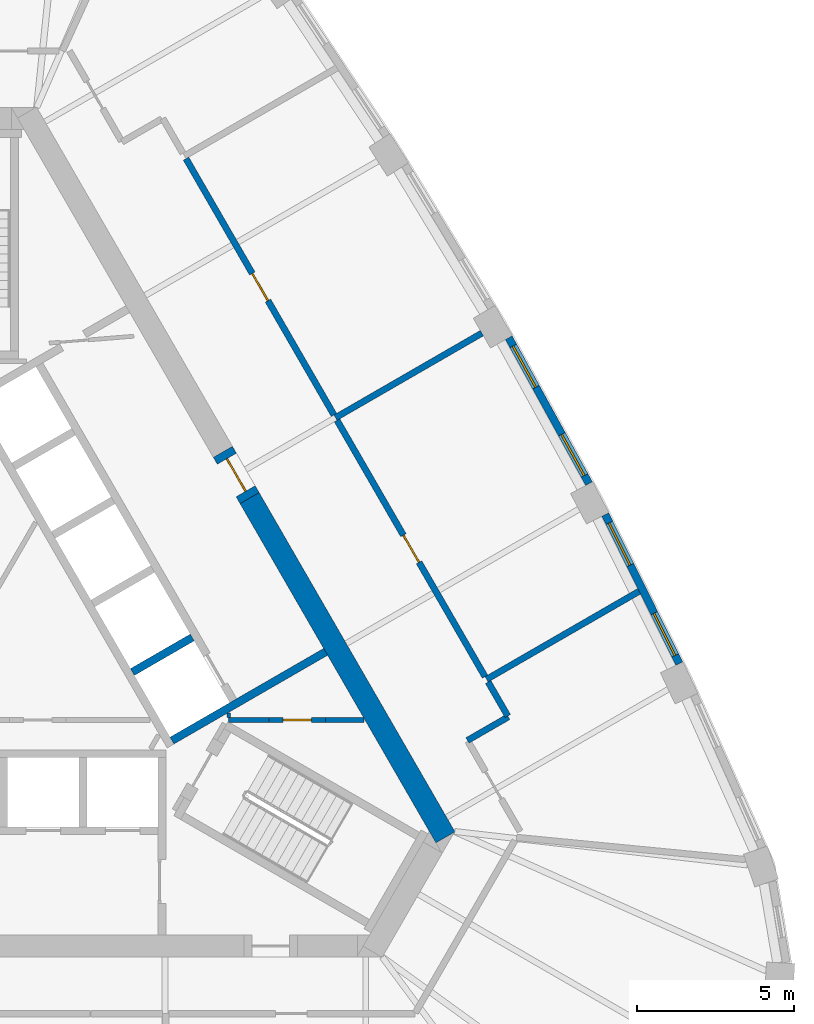
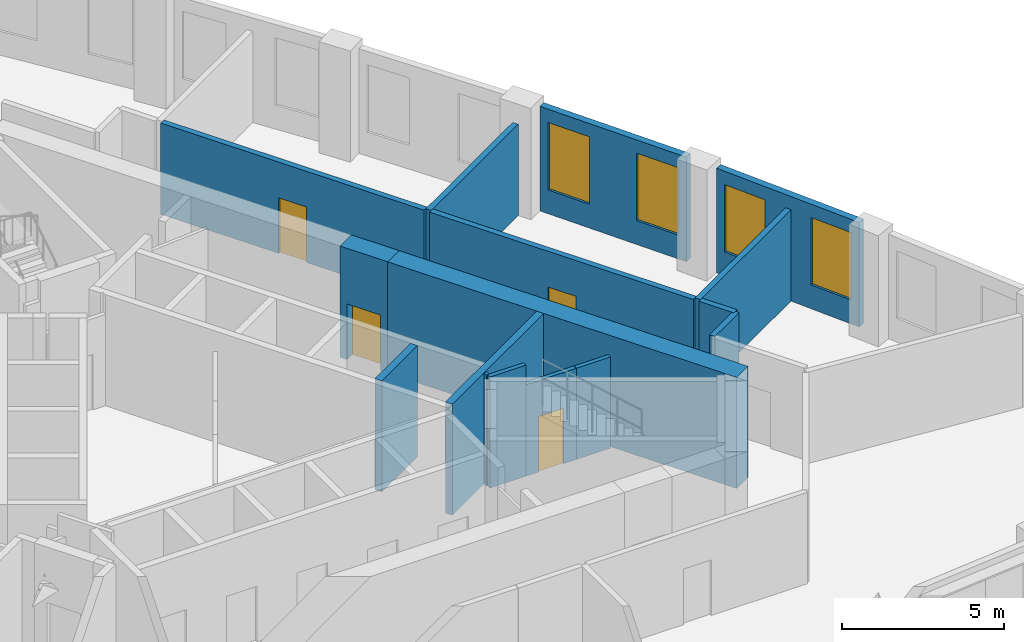
# One storey, part 7 of 10: 16 walls, 4 doors, 4 windows, 8 openings.
"""IFC4 building model written with IfcOpenShell, lengths in metres."""

from ifc_helpers import new_model, si_unit, direction, frame, frame_2d, origin, place, context, subcontext, project, spatial, rectangle, extrude, material, layer, layer_set, type_object, element, fill, save


model = new_model("IFC4")

# Units and contexts
model_context = context("Model", 3, precision=1e-05, world=origin(), true_north=direction((0.0, 1.0)))
body_context = subcontext(model_context, "Body", "Model", "MODEL_VIEW")
ifc_project = project(units=[si_unit("LENGTHUNIT", "METRE"), si_unit("AREAUNIT", "SQUARE_METRE"), si_unit("VOLUMEUNIT", "CUBIC_METRE"), si_unit("PLANEANGLEUNIT", "RADIAN"), si_unit("MASSUNIT", "GRAM", prefix="KILO")], contexts=[model_context])

# Site, building, storey
site_placement = place(None, origin())
site = spatial("IfcSite", under=ifc_project, at=site_placement, CompositionType="ELEMENT")
building_placement = place(site_placement, origin())
building = spatial("IfcBuilding", under=site, at=building_placement, Name="Mestral Congress Tower", CompositionType="ELEMENT")
storey_placement = place(building_placement, frame((0.0, 0.0, 214.199951171875)))
storey = spatial("IfcBuildingStorey", under=building, at=storey_placement, Name="L50", CompositionType="ELEMENT", Elevation=214.199951171875)

# Wall
ifc_material_1 = material(Name="Fire-rated board partition")
ifc_layer_1 = layer(ifc_material_1, 0.14990234375)
ifc_layer_set_1 = layer_set([ifc_layer_1], Name="Fire-rated board partition")
wall_type_1 = type_object("IfcWallType", Name="Core partition 150", PredefinedType="PARTITIONING", material=ifc_layer_set_1)
wall_1_placement = place(storey_placement, frame((11.50048828125, -2.800537109375, 0.0), z_axis=(0.0, 0.0, 1.0), x_axis=(1.0, 0.0, 0.0)))
element("IfcWall", 1, at=wall_1_placement, inside=storey, type_object=wall_type_1, Name="L50 core wall", PredefinedType="PARTITIONING", context=body_context, shape_type="SweptSolid", body=[
    extrude(rectangle(XDim=1.22216796875, YDim=0.14990234375, at=frame_2d((0.611083984375, 0.0))), origin(), (0.0, 0.0, 1.0), 3.449951171875),
])

# Wall, opening, door
wall_2_placement = place(storey_placement, frame((9.7001953125, -2.800048828125, 0.0), z_axis=(0.0, 0.0, 1.0), x_axis=(1.0, 0.0, 0.0)))
wall_2 = element("IfcWall", 2, at=wall_2_placement, inside=storey, type_object=wall_type_1, Name="L50 door wall", PredefinedType="PARTITIONING", context=body_context, shape_type="SweptSolid", body=[
    extrude(rectangle(XDim=1.800048828125, YDim=0.14990234375, at=frame_2d((0.89990234375, 0.0))), origin(), (0.0, 0.0, 1.0), 3.449951171875),
])
opening_1_placement = place(wall_2_placement, frame((0.449951171875, 0.0, 0.0)))
opening_1 = element("IfcOpeningElement", 3, at=opening_1_placement, cuts=wall_2, Name="Opening SD-PX10", PredefinedType="OPENING", context=body_context, shape_type="SweptSolid", body=[
    extrude(rectangle(XDim=0.89990234375, YDim=2.10009765625, at=frame_2d((0.449951171875, 1.050048828125))), frame((0.0, 0.0849609375, 0.0), z_axis=(0.0, -1.0, 0.0), x_axis=(1.0, 0.0, 0.0)), (0.0, 0.0, 1.0), 0.169921875),
])
ifc_material_2 = material(Name="Fire-rated steel door set", Category="steel")
door_type_1 = type_object("IfcDoorType", Name="Core door SR 900x2100", OperationType="SINGLE_SWING_LEFT", PredefinedType="DOOR", material=ifc_material_2)
door_1_placement = place(opening_1_placement, origin())
door_1 = element("IfcDoor", 4, at=door_1_placement, inside=storey, type_object=door_type_1, Name="Door SD-PX10", OperationType="SINGLE_SWING_LEFT", OverallHeight=2.10009765625, OverallWidth=0.89990234375, PredefinedType="DOOR", context=body_context, shape_type="SweptSolid", body=[
    extrude(rectangle(XDim=0.89990234375, YDim=2.10009765625, at=frame_2d((0.449951171875, 1.050048828125))), frame((0.0, 0.02490234375, 0.0), z_axis=(0.0, -1.0, 0.0), x_axis=(1.0, 0.0, 0.0)), (0.0, 0.0, 1.0), 0.050048828125),
])
fill(opening_1, door_1)

# Wall
ifc_material_3 = material(Name="Concrete C60/75", Category="concrete")
ifc_layer_2 = layer(ifc_material_3, 0.699951171875)
ifc_layer_set_2 = layer_set([ifc_layer_2], Name="Concrete C60/75")
wall_type_2 = type_object("IfcWallType", Name="Core wall RC 700", PredefinedType="SOLIDWALL", material=ifc_layer_set_2)
wall_3_placement = place(storey_placement, frame((9.085205078125, 4.263916015625, 0.0), z_axis=(0.0, 0.0, 1.0), x_axis=(0.499998082512, -0.866026510844, 0.0)))
element("IfcWall", 5, at=wall_3_placement, inside=storey, type_object=wall_type_2, Name="L50 core wall", PredefinedType="SOLIDWALL", context=body_context, shape_type="SweptSolid", body=[
    extrude(rectangle(XDim=12.47216796875, YDim=0.699951171875, at=frame_2d((6.236083984375, 0.0))), origin(), (0.0, 0.0, 1.0), 4.199951171875),
])

# Wall, opening, door
wall_4_placement = place(storey_placement, frame((8.2353515625, 5.736083984375, 0.0), z_axis=(0.0, 0.0, 1.0), x_axis=(0.499954529098, -0.86605165483, 0.0)))
wall_4 = element("IfcWall", 6, at=wall_4_placement, inside=storey, type_object=wall_type_2, Name="L50 door wall", PredefinedType="SOLIDWALL", context=body_context, shape_type="SweptSolid", body=[
    extrude(rectangle(XDim=1.699951171875, YDim=0.699951171875, at=frame_2d((0.85009765625, 0.0))), origin(), (0.0, 0.0, 1.0), 4.199951171875),
])
opening_2_placement = place(wall_4_placement, frame((0.25, 0.0, 0.0)))
opening_2 = element("IfcOpeningElement", 7, at=opening_2_placement, cuts=wall_4, Name="Opening XDL", PredefinedType="OPENING", context=body_context, shape_type="SweptSolid", body=[
    extrude(rectangle(XDim=1.199951171875, YDim=2.10009765625, at=frame_2d((0.60009765625, 1.050048828125))), frame((0.0, 0.35986328125, 0.0), z_axis=(0.0, -1.0, 0.0), x_axis=(1.0, 0.0, 0.0)), (0.0, 0.0, 1.0), 0.719970703125),
])
door_type_2 = type_object("IfcDoorType", Name="Core door XD 1200x2100", OperationType="SINGLE_SWING_LEFT", PredefinedType="DOOR", material=ifc_material_2)
door_2_placement = place(opening_2_placement, origin())
door_2 = element("IfcDoor", 8, at=door_2_placement, inside=storey, type_object=door_type_2, Name="Door XDL", OperationType="SINGLE_SWING_LEFT", OverallHeight=2.10009765625, OverallWidth=1.199951171875, PredefinedType="DOOR", context=body_context, shape_type="SweptSolid", body=[
    extrude(rectangle(XDim=1.199951171875, YDim=2.10009765625, at=frame_2d((0.60009765625, 1.050048828125))), frame((0.0, 0.02490234375, 0.0), z_axis=(0.0, -1.0, 0.0), x_axis=(1.0, 0.0, 0.0)), (0.0, 0.0, 1.0), 0.050048828125),
])
fill(opening_2, door_2)

# Wall, openings, windows
ifc_material_4 = material(Name="Precast concrete C40/50 with limestone facing", Category="masonry")
ifc_layer_3 = layer(ifc_material_4, 0.239990234375)
ifc_layer_set_3 = layer_set([ifc_layer_3], Name="Precast concrete C40/50 with limestone facing")
wall_type_3 = type_object("IfcWallType", Name="Facade stone wall 240", PredefinedType="SOLIDWALL", material=ifc_layer_set_3)
wall_5_placement = place(storey_placement, frame((22.765869140625, -1.0048828125, 0.0), z_axis=(0.0, 0.0, 1.0), x_axis=(-0.445129582031, 0.895466166419, 0.0)))
wall_5 = element("IfcWall", 9, at=wall_5_placement, inside=storey, type_object=wall_type_3, Name="Facade wall F1-01", PredefinedType="SOLIDWALL", context=body_context, shape_type="SweptSolid", body=[
    extrude(rectangle(XDim=5.29833984375, YDim=0.239990234375, at=frame_2d((2.649169921875, 0.0))), origin(), (0.0, 0.0, 1.0), 3.949951171875),
])
opening_3_placement = place(wall_5_placement, frame((0.294677734375, 0.0, 0.89990234375)))
opening_3 = element("IfcOpeningElement", 10, at=opening_3_placement, cuts=wall_5, Name="Opening W4", PredefinedType="OPENING", context=body_context, shape_type="SweptSolid", body=[
    extrude(rectangle(XDim=1.5, YDim=2.550048828125, at=frame_2d((0.75, 1.27490234375))), frame((0.0, 0.1298828125, 0.0), z_axis=(0.0, -1.0, 0.0), x_axis=(1.0, 0.0, 0.0)), (0.0, 0.0, 1.0), 0.260009765625),
])
opening_4_placement = place(wall_5_placement, frame((3.503662109375, 0.0, 0.89990234375)))
opening_4 = element("IfcOpeningElement", 11, at=opening_4_placement, cuts=wall_5, Name="Opening W4", PredefinedType="OPENING", context=body_context, shape_type="SweptSolid", body=[
    extrude(rectangle(XDim=1.5, YDim=2.550048828125, at=frame_2d((0.75, 1.27490234375))), frame((0.0, 0.1298828125, 0.0), z_axis=(0.0, -1.0, 0.0), x_axis=(1.0, 0.0, 0.0)), (0.0, 0.0, 1.0), 0.260009765625),
])
ifc_material_5 = material(Name="Clear low-emissivity double glazing", Category="glass")
window_type = type_object("IfcWindowType", Name="Facade punched window 1500 x 2550 sill 900", PartitioningType="SINGLE_PANEL", PredefinedType="WINDOW", material=ifc_material_5)
window_1_placement = place(opening_3_placement, origin())
window_1 = element("IfcWindow", 12, at=window_1_placement, inside=storey, type_object=window_type, Name="Window F1-01a", OverallHeight=2.550048828125, OverallWidth=1.5, PartitioningType="SINGLE_PANEL", PredefinedType="WINDOW", context=body_context, shape_type="SweptSolid", body=[
    extrude(rectangle(XDim=1.5, YDim=2.550048828125, at=frame_2d((0.75, 1.27490234375))), frame((0.0, 0.0400390625, 0.0), z_axis=(0.0, -1.0, 0.0), x_axis=(1.0, 0.0, 0.0)), (0.0, 0.0, 1.0), 0.06005859375),
])
fill(opening_3, window_1)
window_2_placement = place(opening_4_placement, origin())
window_2 = element("IfcWindow", 13, at=window_2_placement, inside=storey, type_object=window_type, Name="Window F1-01b", OverallHeight=2.550048828125, OverallWidth=1.5, PartitioningType="SINGLE_PANEL", PredefinedType="WINDOW", context=body_context, shape_type="SweptSolid", body=[
    extrude(rectangle(XDim=1.5, YDim=2.550048828125, at=frame_2d((0.75, 1.27490234375))), frame((0.0, 0.0400390625, 0.0), z_axis=(0.0, -1.0, 0.0), x_axis=(1.0, 0.0, 0.0)), (0.0, 0.0, 1.0), 0.06005859375),
])
fill(opening_4, window_2)

wall_6_placement = place(storey_placement, frame((19.8916015625, 4.725341796875, 0.0), z_axis=(0.0, 0.0, 1.0), x_axis=(-0.481925825015, 0.876212017256, 0.0)))
wall_6 = element("IfcWall", 14, at=wall_6_placement, inside=storey, type_object=wall_type_3, Name="Facade wall F1-02", PredefinedType="SOLIDWALL", context=body_context, shape_type="SweptSolid", body=[
    extrude(rectangle(XDim=5.298583984375, YDim=0.239990234375, at=frame_2d((2.6494140625, 0.0))), origin(), (0.0, 0.0, 1.0), 3.949951171875),
])
opening_5_placement = place(wall_6_placement, frame((0.294677734375, 0.0, 0.89990234375)))
opening_5 = element("IfcOpeningElement", 15, at=opening_5_placement, cuts=wall_6, Name="Opening W4", PredefinedType="OPENING", context=body_context, shape_type="SweptSolid", body=[
    extrude(rectangle(XDim=1.5, YDim=2.550048828125, at=frame_2d((0.75, 1.27490234375))), frame((0.0, 0.1298828125, 0.0), z_axis=(0.0, -1.0, 0.0), x_axis=(1.0, 0.0, 0.0)), (0.0, 0.0, 1.0), 0.260009765625),
])
opening_6_placement = place(wall_6_placement, frame((3.503662109375, 0.0, 0.89990234375)))
opening_6 = element("IfcOpeningElement", 16, at=opening_6_placement, cuts=wall_6, Name="Opening W4", PredefinedType="OPENING", context=body_context, shape_type="SweptSolid", body=[
    extrude(rectangle(XDim=1.5, YDim=2.550048828125, at=frame_2d((0.75, 1.27490234375))), frame((0.0, 0.1298828125, 0.0), z_axis=(0.0, -1.0, 0.0), x_axis=(1.0, 0.0, 0.0)), (0.0, 0.0, 1.0), 0.260009765625),
])
window_3_placement = place(opening_5_placement, origin())
window_3 = element("IfcWindow", 17, at=window_3_placement, inside=storey, type_object=window_type, Name="Window F1-02a", OverallHeight=2.550048828125, OverallWidth=1.5, PartitioningType="SINGLE_PANEL", PredefinedType="WINDOW", context=body_context, shape_type="SweptSolid", body=[
    extrude(rectangle(XDim=1.5, YDim=2.550048828125, at=frame_2d((0.75, 1.27490234375))), frame((0.0, 0.0400390625, 0.0), z_axis=(0.0, -1.0, 0.0), x_axis=(1.0, 0.0, 0.0)), (0.0, 0.0, 1.0), 0.06005859375),
])
fill(opening_5, window_3)
window_4_placement = place(opening_6_placement, origin())
window_4 = element("IfcWindow", 18, at=window_4_placement, inside=storey, type_object=window_type, Name="Window F1-02b", OverallHeight=2.550048828125, OverallWidth=1.5, PartitioningType="SINGLE_PANEL", PredefinedType="WINDOW", context=body_context, shape_type="SweptSolid", body=[
    extrude(rectangle(XDim=1.5, YDim=2.550048828125, at=frame_2d((0.75, 1.27490234375))), frame((0.0, 0.0400390625, 0.0), z_axis=(0.0, -1.0, 0.0), x_axis=(1.0, 0.0, 0.0)), (0.0, 0.0, 1.0), 0.06005859375),
])
fill(opening_6, window_4)

# Walls
ifc_material_6 = material(Name="Dense masonry wall, plastered", Category="masonry")
ifc_layer_4 = layer(ifc_material_6, 0.199951171875)
ifc_layer_set_4 = layer_set([ifc_layer_4], Name="Dense masonry wall, plastered")
wall_type_4 = type_object("IfcWallType", Name="Office tenancy wall 200", PredefinedType="PARTITIONING", material=ifc_layer_set_4)
wall_7_placement = place(storey_placement, frame((16.631103515625, -1.505859375, 0.0), z_axis=(0.0, 0.0, 1.0), x_axis=(0.866045655253, 0.499964921787, 0.0)))
element("IfcWall", 19, at=wall_7_placement, inside=storey, type_object=wall_type_4, Name="Tenancy wall", PredefinedType="PARTITIONING", context=body_context, shape_type="SweptSolid", body=[
    extrude(rectangle(XDim=5.607421875, YDim=0.199951171875, at=frame_2d((2.8037109375, 0.0))), origin(), (0.0, 0.0, 1.0), 3.449951171875),
])
wall_8_placement = place(storey_placement, frame((16.022216796875, -3.451416015625, 0.0), z_axis=(0.0, 0.0, 1.0), x_axis=(0.866031096941, 0.499990139034, 0.0)))
element("IfcWall", 20, at=wall_8_placement, inside=storey, type_object=wall_type_4, Name="Tenancy wall", PredefinedType="PARTITIONING", context=body_context, shape_type="SweptSolid", body=[
    extrude(rectangle(XDim=1.5, YDim=0.199951171875, at=frame_2d((0.75, 0.0))), origin(), (0.0, 0.0, 1.0), 3.449951171875),
])
wall_9_placement = place(storey_placement, frame((17.30615234375, -2.67529296875, 0.0), z_axis=(0.0, 0.0, 1.0), x_axis=(-0.499919672301, 0.866071776036, 0.0)))
element("IfcWall", 21, at=wall_9_placement, inside=storey, type_object=wall_type_4, Name="Tenancy wall", PredefinedType="PARTITIONING", context=body_context, shape_type="SweptSolid", body=[
    extrude(rectangle(XDim=1.250244140625, YDim=0.199951171875, at=frame_2d((0.625, 0.0))), origin(), (0.0, 0.0, 1.0), 3.449951171875),
])
wall_10_placement = place(storey_placement, frame((11.8212890625, 6.824951171875, 0.0), z_axis=(0.0, 0.0, 1.0), x_axis=(0.866011792348, 0.500023574959, 0.0)))
element("IfcWall", 22, at=wall_10_placement, inside=storey, type_object=wall_type_4, Name="Tenancy wall", PredefinedType="PARTITIONING", context=body_context, shape_type="SweptSolid", body=[
    extrude(rectangle(XDim=5.380615234375, YDim=0.199951171875, at=frame_2d((2.6904296875, 0.0))), origin(), (0.0, 0.0, 1.0), 3.449951171875),
])

# Wall, opening, door
wall_11_placement = place(storey_placement, frame((16.5810546875, -1.419189453125, 0.0), z_axis=(0.0, 0.0, 1.0), x_axis=(-0.500019350398, 0.866014231539, 0.0)))
wall_11 = element("IfcWall", 23, at=wall_11_placement, inside=storey, type_object=wall_type_4, Name="Tenancy wall", PredefinedType="PARTITIONING", context=body_context, shape_type="SweptSolid", body=[
    extrude(rectangle(XDim=9.419677734375, YDim=0.199951171875, at=frame_2d((4.7099609375, 0.0))), origin(), (0.0, 0.0, 1.0), 3.449951171875),
])
opening_7_placement = place(wall_11_placement, frame((4.199951171875, 0.0, 0.0)))
opening_7 = element("IfcOpeningElement", 24, at=opening_7_placement, cuts=wall_11, Name="Opening O07-004", PredefinedType="OPENING", context=body_context, shape_type="SweptSolid", body=[
    extrude(rectangle(XDim=1.0, YDim=2.10009765625, at=frame_2d((0.5, 1.050048828125))), frame((0.0, 0.10986328125, 0.0), z_axis=(0.0, -1.0, 0.0), x_axis=(1.0, 0.0, 0.0)), (0.0, 0.0, 1.0), 0.219970703125),
])
ifc_material_7 = material(Name="Fire-rated timber door set", Category="wood")
door_type_3 = type_object("IfcDoorType", Name="Office tenancy entrance door 1000x2100", OperationType="SINGLE_SWING_LEFT", PredefinedType="DOOR", material=ifc_material_7)
door_3_placement = place(opening_7_placement, origin())
door_3 = element("IfcDoor", 25, at=door_3_placement, inside=storey, type_object=door_type_3, Name="Door O07-004", OperationType="SINGLE_SWING_LEFT", OverallHeight=2.10009765625, OverallWidth=1.0, PredefinedType="DOOR", context=body_context, shape_type="SweptSolid", body=[
    extrude(rectangle(XDim=1.0, YDim=2.10009765625, at=frame_2d((0.5, 1.050048828125))), frame((0.0, 0.02490234375, 0.0), z_axis=(0.0, -1.0, 0.0), x_axis=(1.0, 0.0, 0.0)), (0.0, 0.0, 1.0), 0.050048828125),
])
fill(opening_7, door_3)

wall_12_placement = place(storey_placement, frame((11.771240234375, 6.91162109375, 0.0), z_axis=(0.0, 0.0, 1.0), x_axis=(-0.500008127286, 0.866020711443, 0.0)))
wall_12 = element("IfcWall", 26, at=wall_12_placement, inside=storey, type_object=wall_type_4, Name="Tenancy wall", PredefinedType="PARTITIONING", context=body_context, shape_type="SweptSolid", body=[
    extrude(rectangle(XDim=9.419677734375, YDim=0.199951171875, at=frame_2d((4.7099609375, 0.0))), origin(), (0.0, 0.0, 1.0), 3.449951171875),
])
opening_8_placement = place(wall_12_placement, frame((4.199951171875, 0.0, 0.0)))
opening_8 = element("IfcOpeningElement", 27, at=opening_8_placement, cuts=wall_12, Name="Opening O07-005", PredefinedType="OPENING", context=body_context, shape_type="SweptSolid", body=[
    extrude(rectangle(XDim=1.0, YDim=2.10009765625, at=frame_2d((0.5, 1.050048828125))), frame((0.0, 0.10986328125, 0.0), z_axis=(0.0, -1.0, 0.0), x_axis=(1.0, 0.0, 0.0)), (0.0, 0.0, 1.0), 0.219970703125),
])
door_4_placement = place(opening_8_placement, origin())
door_4 = element("IfcDoor", 28, at=door_4_placement, inside=storey, type_object=door_type_3, Name="Door O07-005", OperationType="SINGLE_SWING_LEFT", OverallHeight=2.10009765625, OverallWidth=1.0, PredefinedType="DOOR", context=body_context, shape_type="SweptSolid", body=[
    extrude(rectangle(XDim=1.0, YDim=2.10009765625, at=frame_2d((0.5, 1.050048828125))), frame((0.0, 0.02490234375, 0.0), z_axis=(0.0, -1.0, 0.0), x_axis=(1.0, 0.0, 0.0)), (0.0, 0.0, 1.0), 0.050048828125),
])
fill(opening_8, door_4)

# Walls
ifc_layer_5 = layer(ifc_material_3, 0.25)
ifc_layer_set_5 = layer_set([ifc_layer_5], Name="Concrete C60/75")
wall_type_5 = type_object("IfcWallType", Name="Shaft wall RC 250", PredefinedType="SOLIDWALL", material=ifc_layer_set_5)
wall_13_placement = place(storey_placement, frame((5.35400390625, -1.273681640625, 0.0), z_axis=(0.0, 0.0, 1.0), x_axis=(0.866008176907, 0.50002983664, 0.0)))
element("IfcWall", 29, at=wall_13_placement, inside=storey, type_object=wall_type_5, Name="L50 core wall", PredefinedType="SOLIDWALL", context=body_context, shape_type="SweptSolid", body=[
    extrude(rectangle(XDim=2.199951171875, YDim=0.25, at=frame_2d((1.10009765625, 0.0))), origin(), (0.0, 0.0, 1.0), 4.199951171875),
])
wall_14_placement = place(storey_placement, frame((11.507080078125, -0.630859375, 0.0), z_axis=(0.0, 0.0, 1.0), x_axis=(-0.866011447264, -0.500024172624, 0.0)))
element("IfcWall", 30, at=wall_14_placement, inside=storey, type_object=wall_type_5, Name="L50 core wall", PredefinedType="SOLIDWALL", context=body_context, shape_type="SweptSolid", body=[
    extrude(rectangle(XDim=5.650146484375, YDim=0.25, at=frame_2d((2.8251953125, 0.0))), origin(), (0.0, 0.0, 1.0), 4.199951171875),
])
ifc_layer_6 = layer(ifc_material_3, 0.14990234375)
ifc_layer_set_6 = layer_set([ifc_layer_6], Name="Concrete C60/75")
wall_type_6 = type_object("IfcWallType", Name="Shaft wall RC 250 door-wall 150", PredefinedType="SOLIDWALL", material=ifc_layer_set_6)
wall_15_placement = place(storey_placement, frame((8.412109375, -2.800048828125, 0.0), z_axis=(0.0, 0.0, 1.0), x_axis=(1.0, 0.0, 0.0)))
element("IfcWall", 31, at=wall_15_placement, inside=storey, type_object=wall_type_6, Name="L50 core wall", PredefinedType="PARTITIONING", context=body_context, shape_type="SweptSolid", body=[
    extrude(rectangle(XDim=1.2880859375, YDim=0.14990234375, at=frame_2d((0.64404296875, 0.0))), origin(), (0.0, 0.0, 1.0), 4.199951171875),
])
wall_16_placement = place(storey_placement, frame((8.3701171875, -2.64990234375, 0.0), z_axis=(0.0, 0.0, 1.0), x_axis=(1.0, 0.0, 0.0)))
element("IfcWall", 32, at=wall_16_placement, inside=storey, type_object=wall_type_6, Name="L50 core wall", PredefinedType="PARTITIONING", context=body_context, shape_type="SweptSolid", body=[
    extrude(rectangle(XDim=0.10791015625, YDim=0.14990234375, at=frame_2d((0.053955078125, 0.0))), origin(), (0.0, 0.0, 1.0), 4.199951171875),
])

save(model, "model.ifc")
